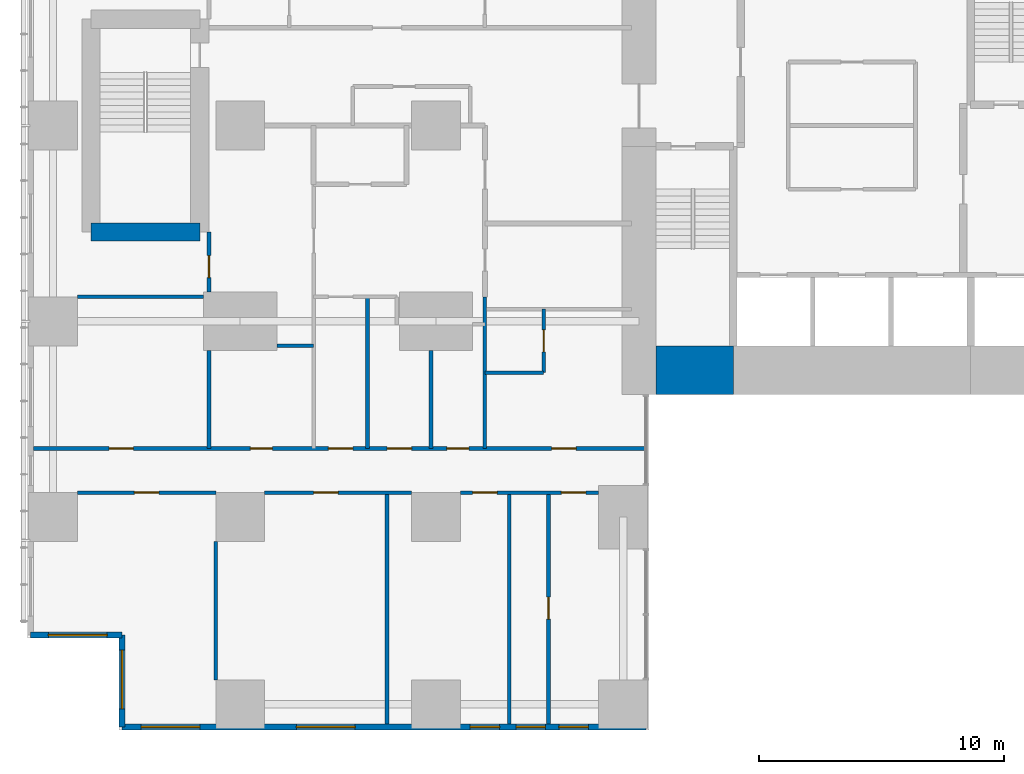
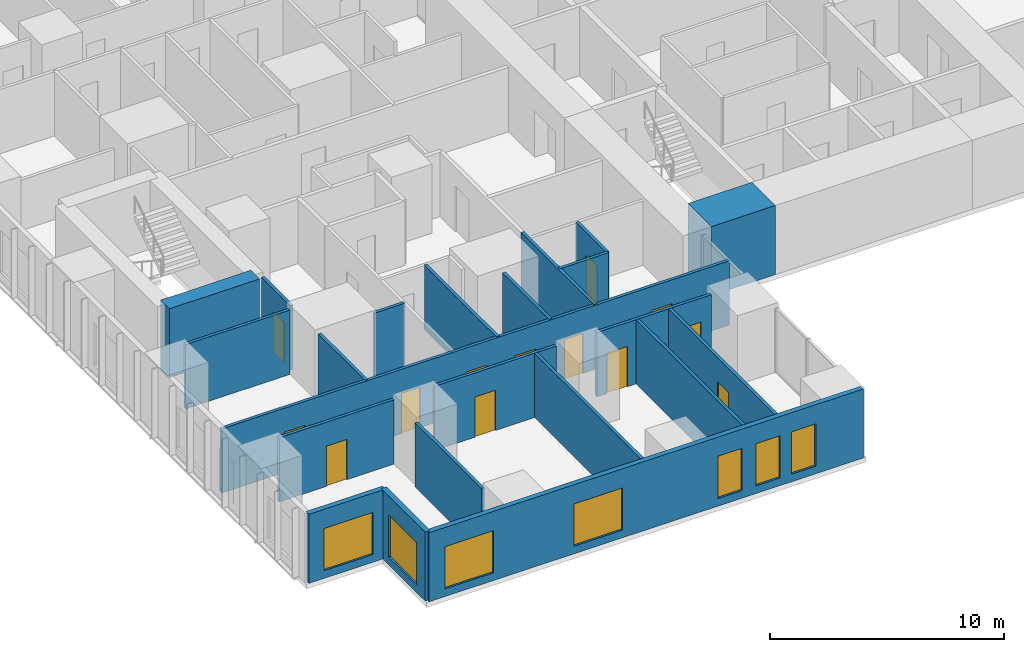
# One storey, part 12 of 20: 22 walls, 13 doors, 7 windows, 20 openings.
"""IFC4 building model written with IfcOpenShell, lengths in metres."""

import ifcopenshell
import ifcopenshell.guid

model = None  # the IFC model being written
_history = None  # IfcOwnerHistory: only IFC2X3 demands one
_inside = {}  # id of a spatial element -> (the spatial element, [elements in it])
_under = {}  # id of a project, library or spatial element -> (it, [spatial elements below it])
_declared = {}  # id of a project -> (the project, [libraries it declares])
_typed = {}  # id of a type object -> (the type object, [elements of that type])
_made_of = {}  # id of a material, layer set ... -> (it, [elements and type objects made of it])


def new_model(schema):
    """Start an empty IFC model of exactly this schema.

    Asked for "IFC4X3", IfcOpenShell would pick the latest addendum, in which some entities
    have other attributes; the version numbers below select the first issue.
    IFC2X3 requires an IfcOwnerHistory on every rooted entity: one is made here for all.
    """
    global model, _history
    if schema == "IFC4X3":
        model = ifcopenshell.file(schema_version=(4, 3, 0, 0))
    else:
        model = ifcopenshell.file(schema=schema)
    _inside.clear()
    _under.clear()
    _declared.clear()
    _typed.clear()
    _made_of.clear()
    _history = None
    if model.schema == "IFC2X3":
        org = make("IfcOrganization", Name="unknown")
        user = make(
            "IfcPersonAndOrganization",
            ThePerson=make("IfcPerson", FamilyName="unknown"),
            TheOrganization=org,
        )
        app = make(
            "IfcApplication",
            ApplicationDeveloper=org,
            Version="unknown",
            ApplicationFullName="unknown",
            ApplicationIdentifier="unknown",
        )
        _history = make(
            "IfcOwnerHistory",
            OwningUser=user,
            OwningApplication=app,
            ChangeAction="ADDED",
            CreationDate=0,
        )
    return model


def make(cls, **values):
    """One entity of the class cls with the attributes given. An attribute that is None is left unset."""
    return model.create_entity(
        cls, **{name: value for name, value in values.items() if value is not None}
    )


def rooted(cls, **values):
    """An entity with a GlobalId (a new one), such as an element, a storey or a relation."""
    return make(cls, GlobalId=ifcopenshell.guid.new(), OwnerHistory=_history, **values)


def si_unit(unit_type, name, prefix=None):
    """IfcSIUnit, for example si_unit("LENGTHUNIT", "METRE", prefix="MILLI")."""
    return make("IfcSIUnit", UnitType=unit_type, Prefix=prefix, Name=name)


def assignment(units):
    """IfcUnitAssignment: the units of a project."""
    return None if units is None else make("IfcUnitAssignment", Units=units)


def point(xyz):
    """IfcCartesianPoint."""
    return None if xyz is None else make("IfcCartesianPoint", Coordinates=xyz)


def direction(xyz):
    """IfcDirection."""
    return None if xyz is None else make("IfcDirection", DirectionRatios=xyz)


def frame(location, z_axis=None, x_axis=None):
    """IfcAxis2Placement3D, a coordinate frame: its origin and axes. An axis left out is left unset."""
    return make(
        "IfcAxis2Placement3D",
        Location=point(location),
        Axis=direction(z_axis),
        RefDirection=direction(x_axis),
    )


def frame_2d(location, x_axis=None):
    """IfcAxis2Placement2D, a coordinate frame in the plane: its origin and x axis."""
    return make(
        "IfcAxis2Placement2D", Location=point(location), RefDirection=direction(x_axis)
    )


def origin():
    """The frame at (0, 0, 0) with its axes left unset."""
    return frame((0.0, 0.0, 0.0))


def place(relative_to, where):
    """IfcLocalPlacement: puts the frame where relative to a parent placement (None: the world)."""
    return make(
        "IfcLocalPlacement", PlacementRelTo=relative_to, RelativePlacement=where
    )


def context(
    kind, dimensions, precision=None, world=None, true_north=None, identifier=None
):
    """IfcGeometricRepresentationContext, for example the 3D "Model" context."""
    return make(
        "IfcGeometricRepresentationContext",
        ContextIdentifier=identifier,
        ContextType=kind,
        CoordinateSpaceDimension=dimensions,
        Precision=precision,
        WorldCoordinateSystem=world,
        TrueNorth=true_north,
    )


def subcontext(parent, identifier, kind, view, scale=None):
    """IfcGeometricRepresentationSubContext, for example "Body" below "Model"."""
    return make(
        "IfcGeometricRepresentationSubContext",
        ContextIdentifier=identifier,
        ContextType=kind,
        ParentContext=parent,
        TargetScale=scale,
        TargetView=view,
    )


def project(units=None, contexts=None):
    """IfcProject with its units and contexts."""
    return rooted(
        "IfcProject",
        Name="project",
        RepresentationContexts=contexts,
        UnitsInContext=assignment(units),
    )


def spatial(cls, under=None, at=None, **own):
    """A site, building, storey or space (cls), placed at a placement, below another one or the project."""
    s = rooted(cls, ObjectPlacement=at, **own)
    if under is not None:
        _under.setdefault(under.id(), (under, []))[1].append(s)
    return s


def profile(cls, at=None, kind="AREA", **sizes):
    """A parametric profile (cls). Its sizes go by their IFC names, for example OverallWidth=200.0."""
    return make(cls, ProfileType=kind, Position=at, **sizes)


def rectangle(**sizes):
    """IfcRectangleProfileDef."""
    return profile("IfcRectangleProfileDef", **sizes)


def extrude(swept, where, along, depth):
    """IfcExtrudedAreaSolid: the profile swept, set in the frame where, extruded along a direction by depth."""
    return make(
        "IfcExtrudedAreaSolid",
        SweptArea=swept,
        Position=where,
        ExtrudedDirection=direction(along),
        Depth=depth,
    )


def shape(context_of_items, identifier, shape_type, items):
    """IfcShapeRepresentation: the items that make up one representation, for example the "Body"."""
    return make(
        "IfcShapeRepresentation",
        ContextOfItems=context_of_items,
        RepresentationIdentifier=identifier,
        RepresentationType=shape_type,
        Items=items,
    )


def material(Name=None, Category=None):
    """IfcMaterial."""
    return make("IfcMaterial", Name=Name, Category=Category)


def layer(
    of_material, thickness, ventilated=None, Name=None, Category=None, Priority=None
):
    """IfcMaterialLayer: one layer of a wall or slab, of a material (None: an air gap)."""
    return make(
        "IfcMaterialLayer",
        Material=of_material,
        LayerThickness=thickness,
        IsVentilated=ventilated,
        Name=Name,
        Category=Category,
        Priority=Priority,
    )


def layer_set(layers, Name=None):
    """IfcMaterialLayerSet."""
    return make("IfcMaterialLayerSet", MaterialLayers=layers, LayerSetName=Name)


def made_of(thing, what):
    """Note that an element or type object is made of a material, layer set ...; save() writes the relation."""
    if what is not None:
        _made_of.setdefault(what.id(), (what, []))[1].append(thing)
    return thing


def type_object(cls, material=None, **own):
    """A type object (cls), such as IfcWallType, which elements share."""
    return made_of(rooted(cls, **own), material)


def element(
    cls,
    number,
    at=None,
    inside=None,
    cuts=None,
    type_object=None,
    material=None,
    context=None,
    identifier="Body",
    shape_type=None,
    held_by="IfcProductDefinitionShape",
    body=None,
    shapes=None,
    **own,
):
    """One element of the class cls, such as IfcWall. Its Tag is "e" and its number.

    at: its placement. inside: the storey or other place that contains it. cuts: it is an
    opening in that element (IfcRelVoidsElement). A single representation is given by context,
    identifier, shape_type and body (its items); several are given by shapes. held_by: the class
    of the entity that holds the representations. save() writes the other relations.
    """
    e = rooted(cls, Tag="e%d" % number, ObjectPlacement=at, **own)
    if body is not None:
        shapes = [shape(context, identifier, shape_type, body)]
    if shapes is not None:
        e.Representation = make(held_by, Representations=shapes)
    if inside is not None:
        _inside.setdefault(inside.id(), (inside, []))[1].append(e)
    if cuts is not None:
        rooted(
            "IfcRelVoidsElement", RelatingBuildingElement=cuts, RelatedOpeningElement=e
        )
    if type_object is not None:
        _typed.setdefault(type_object.id(), (type_object, []))[1].append(e)
    return made_of(e, material)


def fill(opening, filler):
    """IfcRelFillsElement: the door or window that sits in an opening."""
    return rooted(
        "IfcRelFillsElement",
        RelatingOpeningElement=opening,
        RelatedBuildingElement=filler,
    )


def aggregate(whole, parts):
    """IfcRelAggregates: a whole, such as a stair, and the parts it consists of."""
    return rooted("IfcRelAggregates", RelatingObject=whole, RelatedObjects=parts)


def save(model, path):
    """Write the relations noted so far, then the file.

    IfcRelAggregates (storeys below a building ...), IfcRelContainedInSpatialStructure (elements
    in a storey), IfcRelDefinesByType, IfcRelAssociatesMaterial and IfcRelDeclares: one each for
    every whole, place, type object, material and project.
    """
    for whole, parts in _under.values():
        aggregate(whole, parts)
    for where, things in _inside.values():
        rooted(
            "IfcRelContainedInSpatialStructure",
            RelatedElements=things,
            RelatingStructure=where,
        )
    for kind, things in _typed.values():
        rooted("IfcRelDefinesByType", RelatedObjects=things, RelatingType=kind)
    for what, things in _made_of.values():
        rooted("IfcRelAssociatesMaterial", RelatedObjects=things, RelatingMaterial=what)
    for by, libraries in _declared.values():
        rooted("IfcRelDeclares", RelatingContext=by, RelatedDefinitions=libraries)
    model.write(path)


model = new_model("IFC4")

# Units and contexts
model_context = context("Model", 3, precision=1e-05, world=origin(), true_north=direction((0.0, 1.0)))
body_context = subcontext(model_context, "Body", "Model", "MODEL_VIEW")
ifc_project = project(units=[si_unit("LENGTHUNIT", "METRE"), si_unit("AREAUNIT", "SQUARE_METRE"), si_unit("VOLUMEUNIT", "CUBIC_METRE"), si_unit("PLANEANGLEUNIT", "RADIAN"), si_unit("MASSUNIT", "GRAM", prefix="KILO")], contexts=[model_context])

# Site, building, storey
site_placement = place(None, origin())
site = spatial("IfcSite", under=ifc_project, at=site_placement, CompositionType="ELEMENT")
building_placement = place(site_placement, origin())
building = spatial("IfcBuilding", under=site, at=building_placement, Name="Cleftline Residences", CompositionType="ELEMENT")
storey_placement = place(building_placement, frame((0.0, 0.0, 99.800048828125)))
storey = spatial("IfcBuildingStorey", under=building, at=storey_placement, Name="L25", CompositionType="ELEMENT", Elevation=99.800048828125)

# Wall
ifc_material_1 = material(Name="Concrete B70", Category="concrete")
ifc_layer_1 = layer(ifc_material_1, 2.0)
ifc_layer_set_1 = layer_set([ifc_layer_1], Name="CORE WALL 2000")
wall_type_1 = type_object("IfcWallType", Name="CORE WALL 2000", PredefinedType="SHEAR", material=ifc_layer_set_1)
wall_1_placement = place(storey_placement, frame((25.0, 14.0, 0.0), z_axis=(0.0, 0.0, 1.0), x_axis=(1.0, 0.0, 0.0)))
element("IfcWall", 1, at=wall_1_placement, inside=storey, type_object=wall_type_1, Name="Core wall S1", PredefinedType="SHEAR", context=body_context, shape_type="SweptSolid", body=[
    extrude(rectangle(XDim=3.14990234375, YDim=2.0, at=frame_2d((1.574951171875, 0.0))), origin(), (0.0, 0.0, 1.0), 3.599853515625),
])

# Wall, opening, window
ifc_material_2 = material(Name="Rendered reinforced concrete blockwork", Category="masonry")
ifc_layer_2 = layer(ifc_material_2, 0.25)
ifc_layer_set_2 = layer_set([ifc_layer_2], Name="EXTERNAL WALL 250")
wall_type_2 = type_object("IfcWallType", Name="EXTERNAL WALL 250", PredefinedType="SOLIDWALL", material=ifc_layer_set_2)
wall_2_placement = place(storey_placement, frame((-0.574951171875, 3.175048828125, 0.0), z_axis=(0.0, 0.0, 1.0), x_axis=(1.0, 0.0, 0.0)))
wall_2 = element("IfcWall", 2, at=wall_2_placement, inside=storey, type_object=wall_type_2, Name="External wall", PredefinedType="SOLIDWALL", context=body_context, shape_type="SweptSolid", body=[
    extrude(rectangle(XDim=3.75, YDim=0.25, at=frame_2d((1.875, 0.0))), origin(), (0.0, 0.0, 1.0), 3.599853515625),
])
opening_1_placement = place(wall_2_placement, frame((0.737548828125, 0.0, 0.39990234375)))
opening_1 = element("IfcOpeningElement", 3, at=opening_1_placement, cuts=wall_2, Name="Opening W12", PredefinedType="OPENING", context=body_context, shape_type="SweptSolid", body=[
    extrude(rectangle(XDim=2.39990234375, YDim=2.199951171875, at=frame_2d((1.199951171875, 1.10009765625))), frame((0.0, 0.135009765625, 0.0), z_axis=(0.0, -1.0, 0.0), x_axis=(1.0, 0.0, 0.0)), (0.0, 0.0, 1.0), 0.27001953125),
])
ifc_material_3 = material(Name="Aluminium frame, clear double glazing", Category="aluminium")
window_type_1 = type_object("IfcWindowType", Name="WINDOW 2400X2200", PartitioningType="DOUBLE_PANEL_VERTICAL", PredefinedType="WINDOW", material=ifc_material_3)
window_1_placement = place(opening_1_placement, origin())
window_1 = element("IfcWindow", 4, at=window_1_placement, inside=storey, type_object=window_type_1, Name="Window", OverallHeight=2.199951171875, OverallWidth=2.39990234375, PartitioningType="SINGLE_PANEL", PredefinedType="WINDOW", context=body_context, shape_type="SweptSolid", body=[
    extrude(rectangle(XDim=2.39990234375, YDim=2.199951171875, at=frame_2d((1.199951171875, 1.10009765625))), frame((0.0, 0.030029296875, 0.0), z_axis=(0.0, -1.0, 0.0), x_axis=(1.0, 0.0, 0.0)), (0.0, 0.0, 1.0), 0.06005859375),
])
fill(opening_1, window_1)

wall_3_placement = place(storey_placement, frame((3.175048828125, 3.175048828125, 0.0), z_axis=(0.0, 0.0, 1.0), x_axis=(0.0, -1.0, 0.0)))
wall_3 = element("IfcWall", 5, at=wall_3_placement, inside=storey, type_object=wall_type_2, Name="External wall", PredefinedType="SOLIDWALL", context=body_context, shape_type="SweptSolid", body=[
    extrude(rectangle(XDim=3.75, YDim=0.25, at=frame_2d((1.875, 0.0))), origin(), (0.0, 0.0, 1.0), 3.599853515625),
])
opening_2_placement = place(wall_3_placement, frame((0.612548828125, 0.0, 0.39990234375)))
opening_2 = element("IfcOpeningElement", 6, at=opening_2_placement, cuts=wall_3, Name="Opening W12", PredefinedType="OPENING", context=body_context, shape_type="SweptSolid", body=[
    extrude(rectangle(XDim=2.39990234375, YDim=2.199951171875, at=frame_2d((1.199951171875, 1.10009765625))), frame((0.0, 0.135009765625, 0.0), z_axis=(0.0, -1.0, 0.0), x_axis=(1.0, 0.0, 0.0)), (0.0, 0.0, 1.0), 0.27001953125),
])
window_2_placement = place(opening_2_placement, origin())
window_2 = element("IfcWindow", 7, at=window_2_placement, inside=storey, type_object=window_type_1, Name="Window", OverallHeight=2.199951171875, OverallWidth=2.39990234375, PartitioningType="SINGLE_PANEL", PredefinedType="WINDOW", context=body_context, shape_type="SweptSolid", body=[
    extrude(rectangle(XDim=2.39990234375, YDim=2.199951171875, at=frame_2d((1.199951171875, 1.10009765625))), frame((0.0, 0.030029296875, 0.0), z_axis=(0.0, -1.0, 0.0), x_axis=(1.0, 0.0, 0.0)), (0.0, 0.0, 1.0), 0.06005859375),
])
fill(opening_2, window_2)

# Wall, openings, windows
wall_4_placement = place(storey_placement, frame((3.175048828125, -0.574951171875, 0.0), z_axis=(0.0, 0.0, 1.0), x_axis=(1.0, 0.0, 0.0)))
wall_4 = element("IfcWall", 8, at=wall_4_placement, inside=storey, type_object=wall_type_2, Name="External wall", PredefinedType="SOLIDWALL", context=body_context, shape_type="SweptSolid", body=[
    extrude(rectangle(XDim=21.39990234375, YDim=0.25, at=frame_2d((10.699951171875, 0.0))), origin(), (0.0, 0.0, 1.0), 3.599853515625),
])
opening_3_placement = place(wall_4_placement, frame((0.77490234375, 0.0, 0.39990234375)))
opening_3 = element("IfcOpeningElement", 9, at=opening_3_placement, cuts=wall_4, Name="Opening W12", PredefinedType="OPENING", context=body_context, shape_type="SweptSolid", body=[
    extrude(rectangle(XDim=2.39990234375, YDim=2.199951171875, at=frame_2d((1.199951171875, 1.10009765625))), frame((0.0, 0.135009765625, 0.0), z_axis=(0.0, -1.0, 0.0), x_axis=(1.0, 0.0, 0.0)), (0.0, 0.0, 1.0), 0.27001953125),
])
opening_4_placement = place(wall_4_placement, frame((7.125, 0.0, 0.39990234375)))
opening_4 = element("IfcOpeningElement", 10, at=opening_4_placement, cuts=wall_4, Name="Opening W12", PredefinedType="OPENING", context=body_context, shape_type="SweptSolid", body=[
    extrude(rectangle(XDim=2.39990234375, YDim=2.199951171875, at=frame_2d((1.199951171875, 1.10009765625))), frame((0.0, 0.135009765625, 0.0), z_axis=(0.0, -1.0, 0.0), x_axis=(1.0, 0.0, 0.0)), (0.0, 0.0, 1.0), 0.27001953125),
])
opening_5_placement = place(wall_4_placement, frame((14.22509765625, 0.0, 0.39990234375)))
opening_5 = element("IfcOpeningElement", 11, at=opening_5_placement, cuts=wall_4, Name="Opening W11", PredefinedType="OPENING", context=body_context, shape_type="SweptSolid", body=[
    extrude(rectangle(XDim=1.199951171875, YDim=2.199951171875, at=frame_2d((0.60009765625, 1.10009765625))), frame((0.0, 0.135009765625, 0.0), z_axis=(0.0, -1.0, 0.0), x_axis=(1.0, 0.0, 0.0)), (0.0, 0.0, 1.0), 0.27001953125),
])
opening_6_placement = place(wall_4_placement, frame((16.10009765625, 0.0, 0.39990234375)))
opening_6 = element("IfcOpeningElement", 12, at=opening_6_placement, cuts=wall_4, Name="Opening W11", PredefinedType="OPENING", context=body_context, shape_type="SweptSolid", body=[
    extrude(rectangle(XDim=1.199951171875, YDim=2.199951171875, at=frame_2d((0.60009765625, 1.10009765625))), frame((0.0, 0.135009765625, 0.0), z_axis=(0.0, -1.0, 0.0), x_axis=(1.0, 0.0, 0.0)), (0.0, 0.0, 1.0), 0.27001953125),
])
opening_7_placement = place(wall_4_placement, frame((17.85009765625, 0.0, 0.39990234375)))
opening_7 = element("IfcOpeningElement", 13, at=opening_7_placement, cuts=wall_4, Name="Opening W11", PredefinedType="OPENING", context=body_context, shape_type="SweptSolid", body=[
    extrude(rectangle(XDim=1.199951171875, YDim=2.199951171875, at=frame_2d((0.60009765625, 1.10009765625))), frame((0.0, 0.135009765625, 0.0), z_axis=(0.0, -1.0, 0.0), x_axis=(1.0, 0.0, 0.0)), (0.0, 0.0, 1.0), 0.27001953125),
])
ifc_material_4 = material(Name="Aluminium frame, clear double glazing", Category="aluminium")
window_type_2 = type_object("IfcWindowType", Name="WINDOW 1200X2200", PartitioningType="DOUBLE_PANEL_VERTICAL", PredefinedType="WINDOW", material=ifc_material_4)
window_3_placement = place(opening_5_placement, origin())
window_3 = element("IfcWindow", 14, at=window_3_placement, inside=storey, type_object=window_type_2, Name="Window", OverallHeight=2.199951171875, OverallWidth=1.199951171875, PartitioningType="SINGLE_PANEL", PredefinedType="WINDOW", context=body_context, shape_type="SweptSolid", body=[
    extrude(rectangle(XDim=1.199951171875, YDim=2.199951171875, at=frame_2d((0.60009765625, 1.10009765625))), frame((0.0, 0.030029296875, 0.0), z_axis=(0.0, -1.0, 0.0), x_axis=(1.0, 0.0, 0.0)), (0.0, 0.0, 1.0), 0.06005859375),
])
fill(opening_5, window_3)
window_4_placement = place(opening_6_placement, origin())
window_4 = element("IfcWindow", 15, at=window_4_placement, inside=storey, type_object=window_type_2, Name="Window", OverallHeight=2.199951171875, OverallWidth=1.199951171875, PartitioningType="SINGLE_PANEL", PredefinedType="WINDOW", context=body_context, shape_type="SweptSolid", body=[
    extrude(rectangle(XDim=1.199951171875, YDim=2.199951171875, at=frame_2d((0.60009765625, 1.10009765625))), frame((0.0, 0.030029296875, 0.0), z_axis=(0.0, -1.0, 0.0), x_axis=(1.0, 0.0, 0.0)), (0.0, 0.0, 1.0), 0.06005859375),
])
fill(opening_6, window_4)
window_5_placement = place(opening_7_placement, origin())
window_5 = element("IfcWindow", 16, at=window_5_placement, inside=storey, type_object=window_type_2, Name="Window", OverallHeight=2.199951171875, OverallWidth=1.199951171875, PartitioningType="SINGLE_PANEL", PredefinedType="WINDOW", context=body_context, shape_type="SweptSolid", body=[
    extrude(rectangle(XDim=1.199951171875, YDim=2.199951171875, at=frame_2d((0.60009765625, 1.10009765625))), frame((0.0, 0.030029296875, 0.0), z_axis=(0.0, -1.0, 0.0), x_axis=(1.0, 0.0, 0.0)), (0.0, 0.0, 1.0), 0.06005859375),
])
fill(opening_7, window_5)
window_6_placement = place(opening_3_placement, origin())
window_6 = element("IfcWindow", 17, at=window_6_placement, inside=storey, type_object=window_type_1, Name="Window", OverallHeight=2.199951171875, OverallWidth=2.39990234375, PartitioningType="SINGLE_PANEL", PredefinedType="WINDOW", context=body_context, shape_type="SweptSolid", body=[
    extrude(rectangle(XDim=2.39990234375, YDim=2.199951171875, at=frame_2d((1.199951171875, 1.10009765625))), frame((0.0, 0.030029296875, 0.0), z_axis=(0.0, -1.0, 0.0), x_axis=(1.0, 0.0, 0.0)), (0.0, 0.0, 1.0), 0.06005859375),
])
fill(opening_3, window_6)
window_7_placement = place(opening_4_placement, origin())
window_7 = element("IfcWindow", 18, at=window_7_placement, inside=storey, type_object=window_type_1, Name="Window", OverallHeight=2.199951171875, OverallWidth=2.39990234375, PartitioningType="SINGLE_PANEL", PredefinedType="WINDOW", context=body_context, shape_type="SweptSolid", body=[
    extrude(rectangle(XDim=2.39990234375, YDim=2.199951171875, at=frame_2d((1.199951171875, 1.10009765625))), frame((0.0, 0.030029296875, 0.0), z_axis=(0.0, -1.0, 0.0), x_axis=(1.0, 0.0, 0.0)), (0.0, 0.0, 1.0), 0.06005859375),
])
fill(opening_4, window_7)

# Wall, opening, door
ifc_material_5 = material(Name="Gypsum board on steel studs", Category="steel")
ifc_layer_3 = layer(ifc_material_5, 0.14990234375)
ifc_layer_set_3 = layer_set([ifc_layer_3], Name="PARTITION 150")
wall_type_3 = type_object("IfcWallType", Name="PARTITION 150", PredefinedType="PARTITIONING", material=ifc_layer_set_3)
wall_5_placement = place(storey_placement, frame((1.35009765625, 9.0, 0.0), z_axis=(0.0, 0.0, 1.0), x_axis=(1.0, 0.0, 0.0)))
wall_5 = element("IfcWall", 19, at=wall_5_placement, inside=storey, type_object=wall_type_3, Name="Partition", PredefinedType="PARTITIONING", context=body_context, shape_type="SweptSolid", body=[
    extrude(rectangle(XDim=5.64990234375, YDim=0.14990234375, at=frame_2d((2.824951171875, 0.0))), origin(), (0.0, 0.0, 1.0), 3.349853515625),
])
opening_8_placement = place(wall_5_placement, frame((2.324951171875, 0.0, 0.0)))
opening_8 = element("IfcOpeningElement", 20, at=opening_8_placement, cuts=wall_5, Name="Opening D2", PredefinedType="OPENING", context=body_context, shape_type="SweptSolid", body=[
    extrude(rectangle(XDim=1.0, YDim=2.10009765625, at=frame_2d((0.5, 1.050048828125))), frame((0.0, 0.0849609375, 0.0), z_axis=(0.0, -1.0, 0.0), x_axis=(1.0, 0.0, 0.0)), (0.0, 0.0, 1.0), 0.169921875),
])
ifc_material_6 = material(Name="Timber veneer on solid core", Category="wood")
door_type_1 = type_object("IfcDoorType", Name="DOOR 1000X2100", OperationType="SINGLE_SWING_LEFT", PredefinedType="DOOR", material=ifc_material_6)
door_1_placement = place(opening_8_placement, origin())
door_1 = element("IfcDoor", 21, at=door_1_placement, inside=storey, type_object=door_type_1, Name="Door to music room", OperationType="SINGLE_SWING_LEFT", OverallHeight=2.10009765625, OverallWidth=1.0, PredefinedType="DOOR", context=body_context, shape_type="SweptSolid", body=[
    extrude(rectangle(XDim=1.0, YDim=2.10009765625, at=frame_2d((0.5, 1.050048828125))), frame((0.0, 0.02490234375, 0.0), z_axis=(0.0, -1.0, 0.0), x_axis=(1.0, 0.0, 0.0)), (0.0, 0.0, 1.0), 0.050048828125),
])
fill(opening_8, door_1)

wall_6_placement = place(storey_placement, frame((9.0, 9.0, 0.0), z_axis=(0.0, 0.0, 1.0), x_axis=(1.0, 0.0, 0.0)))
wall_6 = element("IfcWall", 22, at=wall_6_placement, inside=storey, type_object=wall_type_3, Name="Partition", PredefinedType="PARTITIONING", context=body_context, shape_type="SweptSolid", body=[
    extrude(rectangle(XDim=6.0, YDim=0.14990234375, at=frame_2d((3.0, 0.0))), origin(), (0.0, 0.0, 1.0), 3.349853515625),
])
opening_9_placement = place(wall_6_placement, frame((2.0, 0.0, 0.0)))
opening_9 = element("IfcOpeningElement", 23, at=opening_9_placement, cuts=wall_6, Name="Opening D2", PredefinedType="OPENING", context=body_context, shape_type="SweptSolid", body=[
    extrude(rectangle(XDim=1.0, YDim=2.10009765625, at=frame_2d((0.5, 1.050048828125))), frame((0.0, 0.0849609375, 0.0), z_axis=(0.0, -1.0, 0.0), x_axis=(1.0, 0.0, 0.0)), (0.0, 0.0, 1.0), 0.169921875),
])
door_2_placement = place(opening_9_placement, origin())
door_2 = element("IfcDoor", 24, at=door_2_placement, inside=storey, type_object=door_type_1, Name="Door to living room", OperationType="SINGLE_SWING_RIGHT", OverallHeight=2.10009765625, OverallWidth=1.0, PredefinedType="DOOR", context=body_context, shape_type="SweptSolid", body=[
    extrude(rectangle(XDim=1.0, YDim=2.10009765625, at=frame_2d((0.5, 1.050048828125))), frame((0.0, 0.02490234375, 0.0), z_axis=(0.0, -1.0, 0.0), x_axis=(1.0, 0.0, 0.0)), (0.0, 0.0, 1.0), 0.050048828125),
])
fill(opening_9, door_2)

# Wall, openings, doors
wall_7_placement = place(storey_placement, frame((17.0, 9.0, 0.0), z_axis=(0.0, 0.0, 1.0), x_axis=(1.0, 0.0, 0.0)))
wall_7 = element("IfcWall", 25, at=wall_7_placement, inside=storey, type_object=wall_type_3, Name="Partition", PredefinedType="PARTITIONING", context=body_context, shape_type="SweptSolid", body=[
    extrude(rectangle(XDim=5.64990234375, YDim=0.14990234375, at=frame_2d((2.824951171875, 0.0))), origin(), (0.0, 0.0, 1.0), 3.349853515625),
])
opening_10_placement = place(wall_7_placement, frame((0.5, 0.0, 0.0)))
opening_10 = element("IfcOpeningElement", 26, at=opening_10_placement, cuts=wall_7, Name="Opening D2", PredefinedType="OPENING", context=body_context, shape_type="SweptSolid", body=[
    extrude(rectangle(XDim=1.0, YDim=2.10009765625, at=frame_2d((0.5, 1.050048828125))), frame((0.0, 0.0849609375, 0.0), z_axis=(0.0, -1.0, 0.0), x_axis=(1.0, 0.0, 0.0)), (0.0, 0.0, 1.0), 0.169921875),
])
opening_11_placement = place(wall_7_placement, frame((4.125, 0.0, 0.0)))
opening_11 = element("IfcOpeningElement", 27, at=opening_11_placement, cuts=wall_7, Name="Opening D2", PredefinedType="OPENING", context=body_context, shape_type="SweptSolid", body=[
    extrude(rectangle(XDim=1.0, YDim=2.10009765625, at=frame_2d((0.5, 1.050048828125))), frame((0.0, 0.0849609375, 0.0), z_axis=(0.0, -1.0, 0.0), x_axis=(1.0, 0.0, 0.0)), (0.0, 0.0, 1.0), 0.169921875),
])
door_3_placement = place(opening_10_placement, origin())
door_3 = element("IfcDoor", 28, at=door_3_placement, inside=storey, type_object=door_type_1, Name="Door to dining room", OperationType="SINGLE_SWING_RIGHT", OverallHeight=2.10009765625, OverallWidth=1.0, PredefinedType="DOOR", context=body_context, shape_type="SweptSolid", body=[
    extrude(rectangle(XDim=1.0, YDim=2.10009765625, at=frame_2d((0.5, 1.050048828125))), frame((0.0, 0.02490234375, 0.0), z_axis=(0.0, -1.0, 0.0), x_axis=(1.0, 0.0, 0.0)), (0.0, 0.0, 1.0), 0.050048828125),
])
fill(opening_10, door_3)
door_4_placement = place(opening_11_placement, origin())
door_4 = element("IfcDoor", 29, at=door_4_placement, inside=storey, type_object=door_type_1, Name="Door to show kitchen", OperationType="SINGLE_SWING_LEFT", OverallHeight=2.10009765625, OverallWidth=1.0, PredefinedType="DOOR", context=body_context, shape_type="SweptSolid", body=[
    extrude(rectangle(XDim=1.0, YDim=2.10009765625, at=frame_2d((0.5, 1.050048828125))), frame((0.0, 0.02490234375, 0.0), z_axis=(0.0, -1.0, 0.0), x_axis=(1.0, 0.0, 0.0)), (0.0, 0.0, 1.0), 0.050048828125),
])
fill(opening_11, door_4)

wall_8_placement = place(storey_placement, frame((-0.449951171875, 10.800048828125, 0.0), z_axis=(0.0, 0.0, 1.0), x_axis=(1.0, 0.0, 0.0)))
wall_8 = element("IfcWall", 30, at=wall_8_placement, inside=storey, type_object=wall_type_3, Name="Partition", PredefinedType="PARTITIONING", context=body_context, shape_type="SweptSolid", body=[
    extrude(rectangle(XDim=25.010986328125, YDim=0.14990234375, at=frame_2d((12.50537109375, 0.0))), origin(), (0.0, 0.0, 1.0), 3.349853515625),
])
opening_12_placement = place(wall_8_placement, frame((12.050048828125, 0.0, 0.0)))
opening_12 = element("IfcOpeningElement", 31, at=opening_12_placement, cuts=wall_8, Name="Opening D2", PredefinedType="OPENING", context=body_context, shape_type="SweptSolid", body=[
    extrude(rectangle(XDim=1.0, YDim=2.10009765625, at=frame_2d((0.5, 1.050048828125))), frame((0.0, 0.0849609375, 0.0), z_axis=(0.0, -1.0, 0.0), x_axis=(1.0, 0.0, 0.0)), (0.0, 0.0, 1.0), 0.169921875),
])
opening_13_placement = place(wall_8_placement, frame((3.08740234375, 0.0, 0.0)))
opening_13 = element("IfcOpeningElement", 32, at=opening_13_placement, cuts=wall_8, Name="Opening D2", PredefinedType="OPENING", context=body_context, shape_type="SweptSolid", body=[
    extrude(rectangle(XDim=1.0, YDim=2.10009765625, at=frame_2d((0.5, 1.050048828125))), frame((0.0, 0.0849609375, 0.0), z_axis=(0.0, -1.0, 0.0), x_axis=(1.0, 0.0, 0.0)), (0.0, 0.0, 1.0), 0.169921875),
])
opening_14_placement = place(wall_8_placement, frame((8.862548828125, 0.0, 0.0)))
opening_14 = element("IfcOpeningElement", 33, at=opening_14_placement, cuts=wall_8, Name="Opening D1", PredefinedType="OPENING", context=body_context, shape_type="SweptSolid", body=[
    extrude(rectangle(XDim=0.89990234375, YDim=2.10009765625, at=frame_2d((0.449951171875, 1.050048828125))), frame((0.0, 0.0849609375, 0.0), z_axis=(0.0, -1.0, 0.0), x_axis=(1.0, 0.0, 0.0)), (0.0, 0.0, 1.0), 0.169921875),
])
opening_15_placement = place(wall_8_placement, frame((14.449951171875, 0.0, 0.0)))
opening_15 = element("IfcOpeningElement", 34, at=opening_15_placement, cuts=wall_8, Name="Opening D2", PredefinedType="OPENING", context=body_context, shape_type="SweptSolid", body=[
    extrude(rectangle(XDim=1.0, YDim=2.10009765625, at=frame_2d((0.5, 1.050048828125))), frame((0.0, 0.0849609375, 0.0), z_axis=(0.0, -1.0, 0.0), x_axis=(1.0, 0.0, 0.0)), (0.0, 0.0, 1.0), 0.169921875),
])
opening_16_placement = place(wall_8_placement, frame((16.89990234375, 0.0, 0.0)))
opening_16 = element("IfcOpeningElement", 35, at=opening_16_placement, cuts=wall_8, Name="Opening D1", PredefinedType="OPENING", context=body_context, shape_type="SweptSolid", body=[
    extrude(rectangle(XDim=0.89990234375, YDim=2.10009765625, at=frame_2d((0.449951171875, 1.050048828125))), frame((0.0, 0.0849609375, 0.0), z_axis=(0.0, -1.0, 0.0), x_axis=(1.0, 0.0, 0.0)), (0.0, 0.0, 1.0), 0.169921875),
])
opening_17_placement = place(wall_8_placement, frame((21.175048828125, 0.0, 0.0)))
opening_17 = element("IfcOpeningElement", 36, at=opening_17_placement, cuts=wall_8, Name="Opening D2", PredefinedType="OPENING", context=body_context, shape_type="SweptSolid", body=[
    extrude(rectangle(XDim=1.0, YDim=2.10009765625, at=frame_2d((0.5, 1.050048828125))), frame((0.0, 0.0849609375, 0.0), z_axis=(0.0, -1.0, 0.0), x_axis=(1.0, 0.0, 0.0)), (0.0, 0.0, 1.0), 0.169921875),
])
door_5_placement = place(opening_12_placement, origin())
door_5 = element("IfcDoor", 37, at=door_5_placement, inside=storey, type_object=door_type_1, Name="Door to residence hall", OperationType="SINGLE_SWING_LEFT", OverallHeight=2.10009765625, OverallWidth=1.0, PredefinedType="DOOR", context=body_context, shape_type="SweptSolid", body=[
    extrude(rectangle(XDim=1.0, YDim=2.10009765625, at=frame_2d((0.5, 1.050048828125))), frame((0.0, 0.02490234375, 0.0), z_axis=(0.0, -1.0, 0.0), x_axis=(1.0, 0.0, 0.0)), (0.0, 0.0, 1.0), 0.050048828125),
])
fill(opening_12, door_5)
door_6_placement = place(opening_13_placement, origin())
door_6 = element("IfcDoor", 38, at=door_6_placement, inside=storey, type_object=door_type_1, Name="Door to altar room", OperationType="SINGLE_SWING_RIGHT", OverallHeight=2.10009765625, OverallWidth=1.0, PredefinedType="DOOR", context=body_context, shape_type="SweptSolid", body=[
    extrude(rectangle(XDim=1.0, YDim=2.10009765625, at=frame_2d((0.5, 1.050048828125))), frame((0.0, 0.02490234375, 0.0), z_axis=(0.0, -1.0, 0.0), x_axis=(1.0, 0.0, 0.0)), (0.0, 0.0, 1.0), 0.050048828125),
])
fill(opening_13, door_6)
door_7_placement = place(opening_15_placement, origin())
door_7 = element("IfcDoor", 39, at=door_7_placement, inside=storey, type_object=door_type_1, Name="Door to wet kitchen", OperationType="SINGLE_SWING_LEFT", OverallHeight=2.10009765625, OverallWidth=1.0, PredefinedType="DOOR", context=body_context, shape_type="SweptSolid", body=[
    extrude(rectangle(XDim=1.0, YDim=2.10009765625, at=frame_2d((0.5, 1.050048828125))), frame((0.0, 0.02490234375, 0.0), z_axis=(0.0, -1.0, 0.0), x_axis=(1.0, 0.0, 0.0)), (0.0, 0.0, 1.0), 0.050048828125),
])
fill(opening_15, door_7)
door_8_placement = place(opening_17_placement, origin())
door_8 = element("IfcDoor", 40, at=door_8_placement, inside=storey, type_object=door_type_1, Name="Door to staff bedroom", OperationType="SINGLE_SWING_LEFT", OverallHeight=2.10009765625, OverallWidth=1.0, PredefinedType="DOOR", context=body_context, shape_type="SweptSolid", body=[
    extrude(rectangle(XDim=1.0, YDim=2.10009765625, at=frame_2d((0.5, 1.050048828125))), frame((0.0, 0.02490234375, 0.0), z_axis=(0.0, -1.0, 0.0), x_axis=(1.0, 0.0, 0.0)), (0.0, 0.0, 1.0), 0.050048828125),
])
fill(opening_17, door_8)
ifc_material_7 = material(Name="Timber veneer on solid core", Category="wood")
door_type_2 = type_object("IfcDoorType", Name="DOOR 900X2100", OperationType="SINGLE_SWING_LEFT", PredefinedType="DOOR", material=ifc_material_7)
door_9_placement = place(opening_14_placement, origin())
door_9 = element("IfcDoor", 41, at=door_9_placement, inside=storey, type_object=door_type_2, Name="Door to wine room", OperationType="SINGLE_SWING_RIGHT", OverallHeight=2.10009765625, OverallWidth=0.89990234375, PredefinedType="DOOR", context=body_context, shape_type="SweptSolid", body=[
    extrude(rectangle(XDim=0.89990234375, YDim=2.10009765625, at=frame_2d((0.449951171875, 1.050048828125))), frame((0.0, 0.02490234375, 0.0), z_axis=(0.0, -1.0, 0.0), x_axis=(1.0, 0.0, 0.0)), (0.0, 0.0, 1.0), 0.050048828125),
])
fill(opening_14, door_9)
door_10_placement = place(opening_16_placement, origin())
door_10 = element("IfcDoor", 42, at=door_10_placement, inside=storey, type_object=door_type_2, Name="Door to pantry", OperationType="SINGLE_SWING_LEFT", OverallHeight=2.10009765625, OverallWidth=0.89990234375, PredefinedType="DOOR", context=body_context, shape_type="SweptSolid", body=[
    extrude(rectangle(XDim=0.89990234375, YDim=2.10009765625, at=frame_2d((0.449951171875, 1.050048828125))), frame((0.0, 0.02490234375, 0.0), z_axis=(0.0, -1.0, 0.0), x_axis=(1.0, 0.0, 0.0)), (0.0, 0.0, 1.0), 0.050048828125),
])
fill(opening_16, door_10)

# Walls
wall_9_placement = place(storey_placement, frame((18.0, 13.89990234375, 0.0), z_axis=(0.0, 0.0, 1.0), x_axis=(1.0, 0.0, 0.0)))
element("IfcWall", 43, at=wall_9_placement, inside=storey, type_object=wall_type_3, Name="Partition", PredefinedType="PARTITIONING", context=body_context, shape_type="SweptSolid", body=[
    extrude(rectangle(XDim=2.39990234375, YDim=0.14990234375, at=frame_2d((1.199951171875, 0.0))), origin(), (0.0, 0.0, 1.0), 3.349853515625),
])
wall_10_placement = place(storey_placement, frame((9.5, 15.0, 0.0), z_axis=(0.0, 0.0, 1.0), x_axis=(1.0, 0.0, 0.0)))
element("IfcWall", 44, at=wall_10_placement, inside=storey, type_object=wall_type_3, Name="Partition", PredefinedType="PARTITIONING", context=body_context, shape_type="SweptSolid", body=[
    extrude(rectangle(XDim=1.5, YDim=0.14990234375, at=frame_2d((0.75, 0.0))), origin(), (0.0, 0.0, 1.0), 3.349853515625),
])
wall_11_placement = place(storey_placement, frame((1.35009765625, 17.0, 0.0), z_axis=(0.0, 0.0, 1.0), x_axis=(1.0, 0.0, 0.0)))
element("IfcWall", 45, at=wall_11_placement, inside=storey, type_object=wall_type_3, Name="Partition", PredefinedType="PARTITIONING", context=body_context, shape_type="SweptSolid", body=[
    extrude(rectangle(XDim=5.14990234375, YDim=0.14990234375, at=frame_2d((2.574951171875, 0.0))), origin(), (0.0, 0.0, 1.0), 3.349853515625),
])
wall_12_placement = place(storey_placement, frame((6.72509765625, 10.800048828125, 0.0), z_axis=(0.0, 0.0, 1.0), x_axis=(0.0, 1.0, 0.0)))
element("IfcWall", 46, at=wall_12_placement, inside=storey, type_object=wall_type_3, Name="Partition", PredefinedType="PARTITIONING", context=body_context, shape_type="SweptSolid", body=[
    extrude(rectangle(XDim=4.0, YDim=0.14990234375, at=frame_2d((2.0, 0.0))), origin(), (0.0, 0.0, 1.0), 3.349853515625),
])

# Wall, opening, door
wall_13_placement = place(storey_placement, frame((6.72509765625, 17.199951171875, 0.0), z_axis=(0.0, 0.0, 1.0), x_axis=(0.0, 1.0, 0.0)))
wall_13 = element("IfcWall", 47, at=wall_13_placement, inside=storey, type_object=wall_type_3, Name="Partition", PredefinedType="PARTITIONING", context=body_context, shape_type="SweptSolid", body=[
    extrude(rectangle(XDim=2.449951171875, YDim=0.14990234375, at=frame_2d((1.22509765625, 0.0))), origin(), (0.0, 0.0, 1.0), 3.349853515625),
])
opening_18_placement = place(wall_13_placement, frame((0.58740234375, 0.0, 0.0)))
opening_18 = element("IfcOpeningElement", 48, at=opening_18_placement, cuts=wall_13, Name="Opening D1", PredefinedType="OPENING", context=body_context, shape_type="SweptSolid", body=[
    extrude(rectangle(XDim=0.89990234375, YDim=2.10009765625, at=frame_2d((0.449951171875, 1.050048828125))), frame((0.0, 0.0849609375, 0.0), z_axis=(0.0, -1.0, 0.0), x_axis=(1.0, 0.0, 0.0)), (0.0, 0.0, 1.0), 0.169921875),
])
door_11_placement = place(opening_18_placement, origin())
door_11 = element("IfcDoor", 49, at=door_11_placement, inside=storey, type_object=door_type_2, Name="Door to service loggia", OperationType="SINGLE_SWING_RIGHT", OverallHeight=2.10009765625, OverallWidth=0.89990234375, PredefinedType="DOOR", context=body_context, shape_type="SweptSolid", body=[
    extrude(rectangle(XDim=0.89990234375, YDim=2.10009765625, at=frame_2d((0.449951171875, 1.050048828125))), frame((0.0, 0.02490234375, 0.0), z_axis=(0.0, -1.0, 0.0), x_axis=(1.0, 0.0, 0.0)), (0.0, 0.0, 1.0), 0.050048828125),
])
fill(opening_18, door_11)

# Walls
wall_14_placement = place(storey_placement, frame((7.0, 1.35009765625, 0.0), z_axis=(0.0, 0.0, 1.0), x_axis=(0.0, 1.0, 0.0)))
element("IfcWall", 50, at=wall_14_placement, inside=storey, type_object=wall_type_3, Name="Partition", PredefinedType="PARTITIONING", context=body_context, shape_type="SweptSolid", body=[
    extrude(rectangle(XDim=5.64990234375, YDim=0.14990234375, at=frame_2d((2.824951171875, 0.0))), origin(), (0.0, 0.0, 1.0), 3.349853515625),
])
wall_15_placement = place(storey_placement, frame((13.199951171875, 10.800048828125, 0.0), z_axis=(0.0, 0.0, 1.0), x_axis=(0.0, 1.0, 0.0)))
element("IfcWall", 51, at=wall_15_placement, inside=storey, type_object=wall_type_3, Name="Partition", PredefinedType="PARTITIONING", context=body_context, shape_type="SweptSolid", body=[
    extrude(rectangle(XDim=6.199951171875, YDim=0.14990234375, at=frame_2d((3.10009765625, 0.0))), origin(), (0.0, 0.0, 1.0), 3.349853515625),
])
wall_16_placement = place(storey_placement, frame((14.0, -0.449951171875, 0.0), z_axis=(0.0, 0.0, 1.0), x_axis=(0.0, 1.0, 0.0)))
element("IfcWall", 52, at=wall_16_placement, inside=storey, type_object=wall_type_3, Name="Partition", PredefinedType="PARTITIONING", context=body_context, shape_type="SweptSolid", body=[
    extrude(rectangle(XDim=9.449951171875, YDim=0.14990234375, at=frame_2d((4.72509765625, 0.0))), origin(), (0.0, 0.0, 1.0), 3.349853515625),
])
wall_17_placement = place(storey_placement, frame((15.800048828125, 10.800048828125, 0.0), z_axis=(0.0, 0.0, 1.0), x_axis=(0.0, 1.0, 0.0)))
element("IfcWall", 53, at=wall_17_placement, inside=storey, type_object=wall_type_3, Name="Partition", PredefinedType="PARTITIONING", context=body_context, shape_type="SweptSolid", body=[
    extrude(rectangle(XDim=4.0, YDim=0.14990234375, at=frame_2d((2.0, 0.0))), origin(), (0.0, 0.0, 1.0), 3.349853515625),
])
wall_18_placement = place(storey_placement, frame((18.0, 10.800048828125, 0.0), z_axis=(0.0, 0.0, 1.0), x_axis=(0.0, 1.0, 0.0)))
element("IfcWall", 54, at=wall_18_placement, inside=storey, type_object=wall_type_3, Name="Partition", PredefinedType="PARTITIONING", context=body_context, shape_type="SweptSolid", body=[
    extrude(rectangle(XDim=6.199951171875, YDim=0.14990234375, at=frame_2d((3.10009765625, 0.0))), origin(), (0.0, 0.0, 1.0), 3.349853515625),
])
wall_19_placement = place(storey_placement, frame((19.0, -0.449951171875, 0.0), z_axis=(0.0, 0.0, 1.0), x_axis=(0.0, 1.0, 0.0)))
element("IfcWall", 55, at=wall_19_placement, inside=storey, type_object=wall_type_3, Name="Partition", PredefinedType="PARTITIONING", context=body_context, shape_type="SweptSolid", body=[
    extrude(rectangle(XDim=9.449951171875, YDim=0.14990234375, at=frame_2d((4.72509765625, 0.0))), origin(), (0.0, 0.0, 1.0), 3.349853515625),
])

# Wall, opening, door
wall_20_placement = place(storey_placement, frame((20.39990234375, 13.89990234375, 0.0), z_axis=(0.0, 0.0, 1.0), x_axis=(0.0, 1.0, 0.0)))
wall_20 = element("IfcWall", 56, at=wall_20_placement, inside=storey, type_object=wall_type_3, Name="Partition", PredefinedType="PARTITIONING", context=body_context, shape_type="SweptSolid", body=[
    extrude(rectangle(XDim=2.60009765625, YDim=0.14990234375, at=frame_2d((1.300048828125, 0.0))), origin(), (0.0, 0.0, 1.0), 3.349853515625),
])
opening_19_placement = place(wall_20_placement, frame((0.85009765625, 0.0, 0.0)))
opening_19 = element("IfcOpeningElement", 57, at=opening_19_placement, cuts=wall_20, Name="Opening D1", PredefinedType="OPENING", context=body_context, shape_type="SweptSolid", body=[
    extrude(rectangle(XDim=0.89990234375, YDim=2.10009765625, at=frame_2d((0.449951171875, 1.050048828125))), frame((0.0, 0.0849609375, 0.0), z_axis=(0.0, -1.0, 0.0), x_axis=(1.0, 0.0, 0.0)), (0.0, 0.0, 1.0), 0.169921875),
])
door_12_placement = place(opening_19_placement, origin())
door_12 = element("IfcDoor", 58, at=door_12_placement, inside=storey, type_object=door_type_2, Name="Door to staff shower room", OperationType="SINGLE_SWING_LEFT", OverallHeight=2.10009765625, OverallWidth=0.89990234375, PredefinedType="DOOR", context=body_context, shape_type="SweptSolid", body=[
    extrude(rectangle(XDim=0.89990234375, YDim=2.10009765625, at=frame_2d((0.449951171875, 1.050048828125))), frame((0.0, 0.02490234375, 0.0), z_axis=(0.0, -1.0, 0.0), x_axis=(1.0, 0.0, 0.0)), (0.0, 0.0, 1.0), 0.050048828125),
])
fill(opening_19, door_12)

wall_21_placement = place(storey_placement, frame((20.60009765625, -0.449951171875, 0.0), z_axis=(0.0, 0.0, 1.0), x_axis=(0.0, 1.0, 0.0)))
wall_21 = element("IfcWall", 59, at=wall_21_placement, inside=storey, type_object=wall_type_3, Name="Partition", PredefinedType="PARTITIONING", context=body_context, shape_type="SweptSolid", body=[
    extrude(rectangle(XDim=9.449951171875, YDim=0.14990234375, at=frame_2d((4.72509765625, 0.0))), origin(), (0.0, 0.0, 1.0), 3.349853515625),
])
opening_20_placement = place(wall_21_placement, frame((4.27490234375, 0.0, 0.0)))
opening_20 = element("IfcOpeningElement", 60, at=opening_20_placement, cuts=wall_21, Name="Opening D1", PredefinedType="OPENING", context=body_context, shape_type="SweptSolid", body=[
    extrude(rectangle(XDim=0.89990234375, YDim=2.10009765625, at=frame_2d((0.449951171875, 1.050048828125))), frame((0.0, 0.0849609375, 0.0), z_axis=(0.0, -1.0, 0.0), x_axis=(1.0, 0.0, 0.0)), (0.0, 0.0, 1.0), 0.169921875),
])
door_13_placement = place(opening_20_placement, origin())
door_13 = element("IfcDoor", 61, at=door_13_placement, inside=storey, type_object=door_type_2, Name="Door to larder", OperationType="SINGLE_SWING_LEFT", OverallHeight=2.10009765625, OverallWidth=0.89990234375, PredefinedType="DOOR", context=body_context, shape_type="SweptSolid", body=[
    extrude(rectangle(XDim=0.89990234375, YDim=2.10009765625, at=frame_2d((0.449951171875, 1.050048828125))), frame((0.0, 0.02490234375, 0.0), z_axis=(0.0, -1.0, 0.0), x_axis=(1.0, 0.0, 0.0)), (0.0, 0.0, 1.0), 0.050048828125),
])
fill(opening_20, door_13)

# Wall
ifc_material_8 = material(Name="Concrete B70", Category="concrete")
ifc_layer_4 = layer(ifc_material_8, 0.75)
ifc_layer_set_4 = layer_set([ifc_layer_4], Name="SHEAR WALL 750")
wall_type_4 = type_object("IfcWallType", Name="SHEAR WALL 750", PredefinedType="SHEAR", material=ifc_layer_set_4)
wall_22_placement = place(storey_placement, frame((1.89990234375, 19.64990234375, 0.0), z_axis=(0.0, 0.0, 1.0), x_axis=(1.0, 0.0, 0.0)))
element("IfcWall", 62, at=wall_22_placement, inside=storey, type_object=wall_type_4, Name="Wing shear wall", PredefinedType="SHEAR", context=body_context, shape_type="SweptSolid", body=[
    extrude(rectangle(XDim=4.4501953125, YDim=0.75, at=frame_2d((2.22509765625, 0.0))), origin(), (0.0, 0.0, 1.0), 3.599853515625),
])

save(model, "model.ifc")
